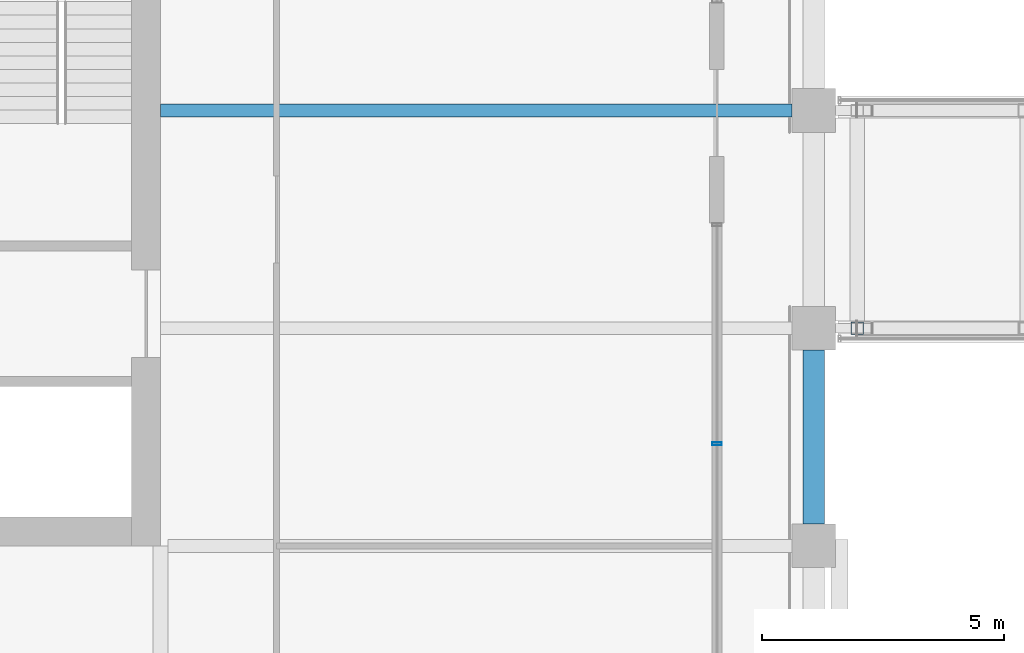
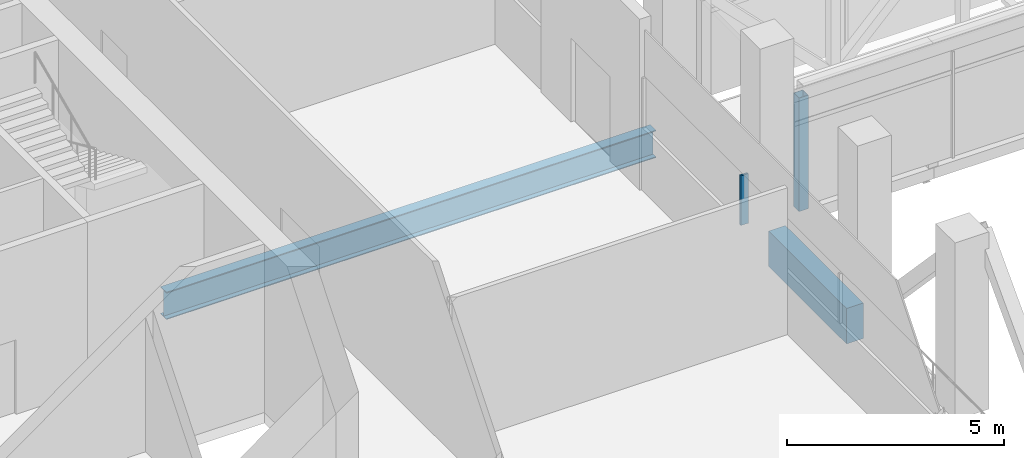
# One storey, part 10 of 34: 2 beams, 2 members, 1 element without a shape of its own.
"""IFC4 building model written with IfcOpenShell, lengths in metres."""

import ifcopenshell
import ifcopenshell.guid

model = None  # the IFC model being written
_history = None  # IfcOwnerHistory: only IFC2X3 demands one
_inside = {}  # id of a spatial element -> (the spatial element, [elements in it])
_under = {}  # id of a project, library or spatial element -> (it, [spatial elements below it])
_declared = {}  # id of a project -> (the project, [libraries it declares])
_typed = {}  # id of a type object -> (the type object, [elements of that type])
_made_of = {}  # id of a material, layer set ... -> (it, [elements and type objects made of it])


def new_model(schema):
    """Start an empty IFC model of exactly this schema.

    Asked for "IFC4X3", IfcOpenShell would pick the latest addendum, in which some entities
    have other attributes; the version numbers below select the first issue.
    IFC2X3 requires an IfcOwnerHistory on every rooted entity: one is made here for all.
    """
    global model, _history
    if schema == "IFC4X3":
        model = ifcopenshell.file(schema_version=(4, 3, 0, 0))
    else:
        model = ifcopenshell.file(schema=schema)
    _inside.clear()
    _under.clear()
    _declared.clear()
    _typed.clear()
    _made_of.clear()
    _history = None
    if model.schema == "IFC2X3":
        org = make("IfcOrganization", Name="unknown")
        user = make(
            "IfcPersonAndOrganization",
            ThePerson=make("IfcPerson", FamilyName="unknown"),
            TheOrganization=org,
        )
        app = make(
            "IfcApplication",
            ApplicationDeveloper=org,
            Version="unknown",
            ApplicationFullName="unknown",
            ApplicationIdentifier="unknown",
        )
        _history = make(
            "IfcOwnerHistory",
            OwningUser=user,
            OwningApplication=app,
            ChangeAction="ADDED",
            CreationDate=0,
        )
    return model


def make(cls, **values):
    """One entity of the class cls with the attributes given. An attribute that is None is left unset."""
    return model.create_entity(
        cls, **{name: value for name, value in values.items() if value is not None}
    )


def rooted(cls, **values):
    """An entity with a GlobalId (a new one), such as an element, a storey or a relation."""
    return make(cls, GlobalId=ifcopenshell.guid.new(), OwnerHistory=_history, **values)


def si_unit(unit_type, name, prefix=None):
    """IfcSIUnit, for example si_unit("LENGTHUNIT", "METRE", prefix="MILLI")."""
    return make("IfcSIUnit", UnitType=unit_type, Prefix=prefix, Name=name)


def assignment(units):
    """IfcUnitAssignment: the units of a project."""
    return None if units is None else make("IfcUnitAssignment", Units=units)


def point(xyz):
    """IfcCartesianPoint."""
    return None if xyz is None else make("IfcCartesianPoint", Coordinates=xyz)


def direction(xyz):
    """IfcDirection."""
    return None if xyz is None else make("IfcDirection", DirectionRatios=xyz)


def frame(location, z_axis=None, x_axis=None):
    """IfcAxis2Placement3D, a coordinate frame: its origin and axes. An axis left out is left unset."""
    return make(
        "IfcAxis2Placement3D",
        Location=point(location),
        Axis=direction(z_axis),
        RefDirection=direction(x_axis),
    )


def frame_2d(location, x_axis=None):
    """IfcAxis2Placement2D, a coordinate frame in the plane: its origin and x axis."""
    return make(
        "IfcAxis2Placement2D", Location=point(location), RefDirection=direction(x_axis)
    )


def origin():
    """The frame at (0, 0, 0) with its axes left unset."""
    return frame((0.0, 0.0, 0.0))


def origin_2d():
    """The frame at (0, 0) in the plane with its x axis left unset."""
    return frame_2d((0.0, 0.0))


def place(relative_to, where):
    """IfcLocalPlacement: puts the frame where relative to a parent placement (None: the world)."""
    return make(
        "IfcLocalPlacement", PlacementRelTo=relative_to, RelativePlacement=where
    )


def context(
    kind, dimensions, precision=None, world=None, true_north=None, identifier=None
):
    """IfcGeometricRepresentationContext, for example the 3D "Model" context."""
    return make(
        "IfcGeometricRepresentationContext",
        ContextIdentifier=identifier,
        ContextType=kind,
        CoordinateSpaceDimension=dimensions,
        Precision=precision,
        WorldCoordinateSystem=world,
        TrueNorth=true_north,
    )


def subcontext(parent, identifier, kind, view, scale=None):
    """IfcGeometricRepresentationSubContext, for example "Body" below "Model"."""
    return make(
        "IfcGeometricRepresentationSubContext",
        ContextIdentifier=identifier,
        ContextType=kind,
        ParentContext=parent,
        TargetScale=scale,
        TargetView=view,
    )


def project(units=None, contexts=None):
    """IfcProject with its units and contexts."""
    return rooted(
        "IfcProject",
        Name="project",
        RepresentationContexts=contexts,
        UnitsInContext=assignment(units),
    )


def spatial(cls, under=None, at=None, **own):
    """A site, building, storey or space (cls), placed at a placement, below another one or the project."""
    s = rooted(cls, ObjectPlacement=at, **own)
    if under is not None:
        _under.setdefault(under.id(), (under, []))[1].append(s)
    return s


def profile(cls, at=None, kind="AREA", **sizes):
    """A parametric profile (cls). Its sizes go by their IFC names, for example OverallWidth=200.0."""
    return make(cls, ProfileType=kind, Position=at, **sizes)


def rectangle(**sizes):
    """IfcRectangleProfileDef."""
    return profile("IfcRectangleProfileDef", **sizes)


def hollow_rectangle(**sizes):
    """IfcRectangleHollowProfileDef."""
    return profile("IfcRectangleHollowProfileDef", **sizes)


def i_section(**sizes):
    """IfcIShapeProfileDef."""
    return profile("IfcIShapeProfileDef", **sizes)


def extrude(swept, where, along, depth):
    """IfcExtrudedAreaSolid: the profile swept, set in the frame where, extruded along a direction by depth."""
    return make(
        "IfcExtrudedAreaSolid",
        SweptArea=swept,
        Position=where,
        ExtrudedDirection=direction(along),
        Depth=depth,
    )


def shape(context_of_items, identifier, shape_type, items):
    """IfcShapeRepresentation: the items that make up one representation, for example the "Body"."""
    return make(
        "IfcShapeRepresentation",
        ContextOfItems=context_of_items,
        RepresentationIdentifier=identifier,
        RepresentationType=shape_type,
        Items=items,
    )


def material(Name=None, Category=None):
    """IfcMaterial."""
    return make("IfcMaterial", Name=Name, Category=Category)


def material_profile(
    of_material, cross_section, Name=None, Category=None, Priority=None
):
    """IfcMaterialProfile: a cross section and its material."""
    return make(
        "IfcMaterialProfile",
        Name=Name,
        Material=of_material,
        Profile=cross_section,
        Priority=Priority,
        Category=Category,
    )


def profile_set(profiles, Name=None, composite=None):
    """IfcMaterialProfileSet."""
    return make(
        "IfcMaterialProfileSet",
        Name=Name,
        MaterialProfiles=profiles,
        CompositeProfile=composite,
    )


def made_of(thing, what):
    """Note that an element or type object is made of a material, layer set ...; save() writes the relation."""
    if what is not None:
        _made_of.setdefault(what.id(), (what, []))[1].append(thing)
    return thing


def type_object(cls, material=None, **own):
    """A type object (cls), such as IfcWallType, which elements share."""
    return made_of(rooted(cls, **own), material)


def element(
    cls,
    number,
    at=None,
    inside=None,
    cuts=None,
    type_object=None,
    material=None,
    context=None,
    identifier="Body",
    shape_type=None,
    held_by="IfcProductDefinitionShape",
    body=None,
    shapes=None,
    **own,
):
    """One element of the class cls, such as IfcWall. Its Tag is "e" and its number.

    at: its placement. inside: the storey or other place that contains it. cuts: it is an
    opening in that element (IfcRelVoidsElement). A single representation is given by context,
    identifier, shape_type and body (its items); several are given by shapes. held_by: the class
    of the entity that holds the representations. save() writes the other relations.
    """
    e = rooted(cls, Tag="e%d" % number, ObjectPlacement=at, **own)
    if body is not None:
        shapes = [shape(context, identifier, shape_type, body)]
    if shapes is not None:
        e.Representation = make(held_by, Representations=shapes)
    if inside is not None:
        _inside.setdefault(inside.id(), (inside, []))[1].append(e)
    if cuts is not None:
        rooted(
            "IfcRelVoidsElement", RelatingBuildingElement=cuts, RelatedOpeningElement=e
        )
    if type_object is not None:
        _typed.setdefault(type_object.id(), (type_object, []))[1].append(e)
    return made_of(e, material)


def aggregate(whole, parts):
    """IfcRelAggregates: a whole, such as a stair, and the parts it consists of."""
    return rooted("IfcRelAggregates", RelatingObject=whole, RelatedObjects=parts)


def save(model, path):
    """Write the relations noted so far, then the file.

    IfcRelAggregates (storeys below a building ...), IfcRelContainedInSpatialStructure (elements
    in a storey), IfcRelDefinesByType, IfcRelAssociatesMaterial and IfcRelDeclares: one each for
    every whole, place, type object, material and project.
    """
    for whole, parts in _under.values():
        aggregate(whole, parts)
    for where, things in _inside.values():
        rooted(
            "IfcRelContainedInSpatialStructure",
            RelatedElements=things,
            RelatingStructure=where,
        )
    for kind, things in _typed.values():
        rooted("IfcRelDefinesByType", RelatedObjects=things, RelatingType=kind)
    for what, things in _made_of.values():
        rooted("IfcRelAssociatesMaterial", RelatedObjects=things, RelatingMaterial=what)
    for by, libraries in _declared.values():
        rooted("IfcRelDeclares", RelatingContext=by, RelatedDefinitions=libraries)
    model.write(path)


model = new_model("IFC4")

# Units and contexts
model_context = context("Model", 3, precision=1e-05, world=origin(), true_north=direction((0.0, 1.0)))
body_context = subcontext(model_context, "Body", "Model", "MODEL_VIEW")
ifc_project = project(units=[si_unit("LENGTHUNIT", "METRE"), si_unit("AREAUNIT", "SQUARE_METRE"), si_unit("VOLUMEUNIT", "CUBIC_METRE"), si_unit("PLANEANGLEUNIT", "RADIAN"), si_unit("MASSUNIT", "GRAM", prefix="KILO")], contexts=[model_context])

# Site, building, storey
site_placement = place(None, origin())
site = spatial("IfcSite", under=ifc_project, at=site_placement, CompositionType="ELEMENT")
building_placement = place(site_placement, origin())
building = spatial("IfcBuilding", under=site, at=building_placement, Name="Altepetl Exchange Towers", CompositionType="ELEMENT")
storey_placement = place(building_placement, frame((0.0, 0.0, 190.60009765625)))
storey = spatial("IfcBuildingStorey", under=building, at=storey_placement, Name="L48 Refuge", CompositionType="ELEMENT", Elevation=190.60009765625)

# Member
ifc_material_1 = material(Name="Steel S355", Category="steel")
ifc_material_profile_1 = material_profile(ifc_material_1, hollow_rectangle(XDim=0.25390625, YDim=0.25390625, WallThickness=0.01171875, at=origin_2d()), Name="HSS254X254X12.7")
ifc_profile_set_1 = profile_set([ifc_material_profile_1], Name="Steel S355")
member_type_1 = type_object("IfcMemberType", Name="Bridge post HSS254X254X12.7", PredefinedType="POST", material=ifc_profile_set_1)
member_1_placement = place(storey_placement, frame((72.89990234375, 45.0, -0.2001953125)))
element("IfcMember", 1, at=member_1_placement, inside=storey, type_object=member_type_1, Name="tr:X:L48:ps-s0", PredefinedType="POST", context=body_context, shape_type="SweptSolid", body=[
    extrude(hollow_rectangle(XDim=0.25390625, YDim=0.25390625, WallThickness=0.01171875, at=origin_2d()), origin(), (0.0, 0.0, 1.0), 3.2001953125),
])

# Beam
ifc_material_profile_2 = material_profile(ifc_material_1, i_section(OverallWidth=0.26806640625, OverallDepth=0.77392578125, WebThickness=0.015380859375, FlangeThickness=0.025390625, at=origin_2d()), Name="W30X132")
ifc_profile_set_2 = profile_set([ifc_material_profile_2], Name="Steel S355")
beam_type_1 = type_object("IfcBeamType", Name="Floor beam W30X132", PredefinedType="BEAM", material=ifc_profile_set_2)
beam_1_placement = place(storey_placement, frame((58.5, 49.5, -0.587158203125), z_axis=(1.0, 0.0, 0.0), x_axis=(0.0, 1.0, 0.0)))
element("IfcBeam", 2, at=beam_1_placement, inside=storey, type_object=beam_type_1, Name="bm:A:L48:010", PredefinedType="BEAM", context=body_context, shape_type="SweptSolid", body=[
    extrude(i_section(OverallWidth=0.26806640625, OverallDepth=0.77392578125, WebThickness=0.015380859375, FlangeThickness=0.025390625, at=origin_2d()), origin(), (0.0, 0.0, 1.0), 13.050048828125),
])

# Curtain wall, member
ifc_material_2 = material(Name="Aluminium 6063-T6 glazing", Category="aluminium")
curtain_wall_type = type_object("IfcCurtainWallType", Name="Refuge slit glazing system", PredefinedType="NOTDEFINED", material=ifc_material_2)
curtain_wall_placement = place(storey_placement, origin())
curtain_wall = element("IfcCurtainWall", 3, at=curtain_wall_placement, inside=storey, type_object=curtain_wall_type, Name="CW3 run", PredefinedType="NOTDEFINED")
ifc_material_3 = material(Name="Aluminium 6063-T6", Category="aluminium")
ifc_material_profile_3 = material_profile(ifc_material_3, hollow_rectangle(XDim=0.06005859375, YDim=0.199951171875, WallThickness=0.0029296875, at=origin_2d()), Name="Mullion 60x200 aluminium")
ifc_profile_set_3 = profile_set([ifc_material_profile_3], Name="Aluminium 6063-T6")
member_type_2 = type_object("IfcMemberType", Name="Mullion 60x200 aluminium", PredefinedType="MULLION", material=ifc_profile_set_3)
member_2_placement = place(storey_placement, frame((70.0, 42.6142578125, 1.7998046875), z_axis=(0.0, 0.0, 1.0), x_axis=(0.0, 1.0, 0.0)))
member_2 = element("IfcMember", 4, at=member_2_placement, type_object=member_type_2, Name="MU2 mullion", PredefinedType="MULLION", context=body_context, shape_type="SweptSolid", body=[
    extrude(hollow_rectangle(XDim=0.06005859375, YDim=0.199951171875, WallThickness=0.0029296875, at=origin_2d()), origin(), (0.0, 0.0, 1.0), 1.400146484375),
])
aggregate(curtain_wall, [member_2])

# Beam
ifc_material_4 = material(Name="Concrete C50/60 precast with cantera amarilla facing", Category="concrete")
ifc_material_profile_4 = material_profile(ifc_material_4, rectangle(XDim=0.449951171875, YDim=1.0, at=origin_2d()), Name="450 x 1000")
ifc_profile_set_4 = profile_set([ifc_material_profile_4], Name="Concrete C50/60 precast with cantera amarilla facing")
beam_type_2 = type_object("IfcBeamType", Name="Spandrel beam 450x1000 cantera amarilla", PredefinedType="SPANDREL", material=ifc_profile_set_4)
beam_2_placement = place(storey_placement, frame((72.0, 40.949951171875, -0.7001953125), z_axis=(0.0, 1.0, 0.0), x_axis=(-1.0, 0.0, 0.0)))
element("IfcBeam", 5, at=beam_2_placement, inside=storey, type_object=beam_type_2, Name="sp:A:L48:014", PredefinedType="SPANDREL", context=body_context, shape_type="SweptSolid", body=[
    extrude(rectangle(XDim=0.449951171875, YDim=1.0, at=origin_2d()), origin(), (0.0, 0.0, 1.0), 3.60009765625),
])

save(model, "model.ifc")
